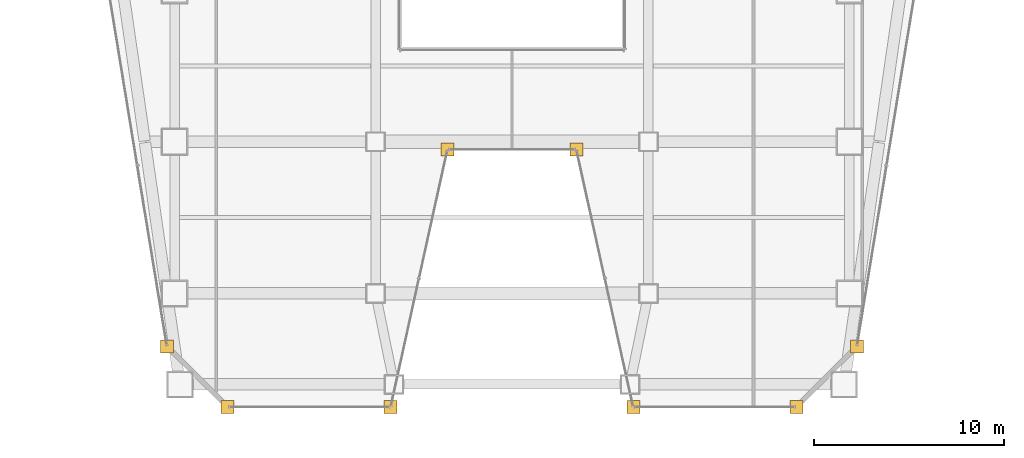
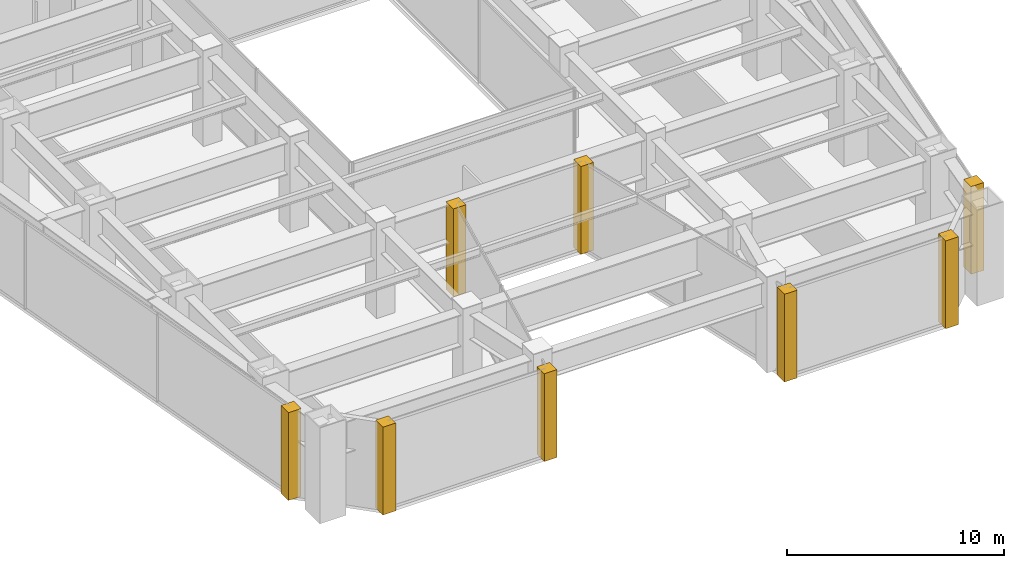
# One storey, part 40 of 42: 8 coverings.
"""IFC4 building model written with IfcOpenShell, lengths in metres."""

import ifcopenshell
import ifcopenshell.guid

model = None  # the IFC model being written
_history = None  # IfcOwnerHistory: only IFC2X3 demands one
_inside = {}  # id of a spatial element -> (the spatial element, [elements in it])
_under = {}  # id of a project, library or spatial element -> (it, [spatial elements below it])
_declared = {}  # id of a project -> (the project, [libraries it declares])
_typed = {}  # id of a type object -> (the type object, [elements of that type])
_made_of = {}  # id of a material, layer set ... -> (it, [elements and type objects made of it])


def new_model(schema):
    """Start an empty IFC model of exactly this schema.

    Asked for "IFC4X3", IfcOpenShell would pick the latest addendum, in which some entities
    have other attributes; the version numbers below select the first issue.
    IFC2X3 requires an IfcOwnerHistory on every rooted entity: one is made here for all.
    """
    global model, _history
    if schema == "IFC4X3":
        model = ifcopenshell.file(schema_version=(4, 3, 0, 0))
    else:
        model = ifcopenshell.file(schema=schema)
    _inside.clear()
    _under.clear()
    _declared.clear()
    _typed.clear()
    _made_of.clear()
    _history = None
    if model.schema == "IFC2X3":
        org = make("IfcOrganization", Name="unknown")
        user = make(
            "IfcPersonAndOrganization",
            ThePerson=make("IfcPerson", FamilyName="unknown"),
            TheOrganization=org,
        )
        app = make(
            "IfcApplication",
            ApplicationDeveloper=org,
            Version="unknown",
            ApplicationFullName="unknown",
            ApplicationIdentifier="unknown",
        )
        _history = make(
            "IfcOwnerHistory",
            OwningUser=user,
            OwningApplication=app,
            ChangeAction="ADDED",
            CreationDate=0,
        )
    return model


def make(cls, **values):
    """One entity of the class cls with the attributes given. An attribute that is None is left unset."""
    return model.create_entity(
        cls, **{name: value for name, value in values.items() if value is not None}
    )


def rooted(cls, **values):
    """An entity with a GlobalId (a new one), such as an element, a storey or a relation."""
    return make(cls, GlobalId=ifcopenshell.guid.new(), OwnerHistory=_history, **values)


def si_unit(unit_type, name, prefix=None):
    """IfcSIUnit, for example si_unit("LENGTHUNIT", "METRE", prefix="MILLI")."""
    return make("IfcSIUnit", UnitType=unit_type, Prefix=prefix, Name=name)


def assignment(units):
    """IfcUnitAssignment: the units of a project."""
    return None if units is None else make("IfcUnitAssignment", Units=units)


def point(xyz):
    """IfcCartesianPoint."""
    return None if xyz is None else make("IfcCartesianPoint", Coordinates=xyz)


def direction(xyz):
    """IfcDirection."""
    return None if xyz is None else make("IfcDirection", DirectionRatios=xyz)


def frame(location, z_axis=None, x_axis=None):
    """IfcAxis2Placement3D, a coordinate frame: its origin and axes. An axis left out is left unset."""
    return make(
        "IfcAxis2Placement3D",
        Location=point(location),
        Axis=direction(z_axis),
        RefDirection=direction(x_axis),
    )


def origin():
    """The frame at (0, 0, 0) with its axes left unset."""
    return frame((0.0, 0.0, 0.0))


def place(relative_to, where):
    """IfcLocalPlacement: puts the frame where relative to a parent placement (None: the world)."""
    return make(
        "IfcLocalPlacement", PlacementRelTo=relative_to, RelativePlacement=where
    )


def context(
    kind, dimensions, precision=None, world=None, true_north=None, identifier=None
):
    """IfcGeometricRepresentationContext, for example the 3D "Model" context."""
    return make(
        "IfcGeometricRepresentationContext",
        ContextIdentifier=identifier,
        ContextType=kind,
        CoordinateSpaceDimension=dimensions,
        Precision=precision,
        WorldCoordinateSystem=world,
        TrueNorth=true_north,
    )


def subcontext(parent, identifier, kind, view, scale=None):
    """IfcGeometricRepresentationSubContext, for example "Body" below "Model"."""
    return make(
        "IfcGeometricRepresentationSubContext",
        ContextIdentifier=identifier,
        ContextType=kind,
        ParentContext=parent,
        TargetScale=scale,
        TargetView=view,
    )


def project(units=None, contexts=None):
    """IfcProject with its units and contexts."""
    return rooted(
        "IfcProject",
        Name="project",
        RepresentationContexts=contexts,
        UnitsInContext=assignment(units),
    )


def spatial(cls, under=None, at=None, **own):
    """A site, building, storey or space (cls), placed at a placement, below another one or the project."""
    s = rooted(cls, ObjectPlacement=at, **own)
    if under is not None:
        _under.setdefault(under.id(), (under, []))[1].append(s)
    return s


def polyline(points):
    """IfcPolyline through the points."""
    return make("IfcPolyline", Points=[point(p) for p in points])


def outline(outer, holes=None, kind="AREA"):
    """IfcArbitraryClosedProfileDef: a profile drawn as a closed curve; with holes, ...WithVoids."""
    if holes is None:
        return make("IfcArbitraryClosedProfileDef", ProfileType=kind, OuterCurve=outer)
    return make(
        "IfcArbitraryProfileDefWithVoids",
        ProfileType=kind,
        OuterCurve=outer,
        InnerCurves=holes,
    )


def extrude(swept, where, along, depth):
    """IfcExtrudedAreaSolid: the profile swept, set in the frame where, extruded along a direction by depth."""
    return make(
        "IfcExtrudedAreaSolid",
        SweptArea=swept,
        Position=where,
        ExtrudedDirection=direction(along),
        Depth=depth,
    )


def shape(context_of_items, identifier, shape_type, items):
    """IfcShapeRepresentation: the items that make up one representation, for example the "Body"."""
    return make(
        "IfcShapeRepresentation",
        ContextOfItems=context_of_items,
        RepresentationIdentifier=identifier,
        RepresentationType=shape_type,
        Items=items,
    )


def material(Name=None, Category=None):
    """IfcMaterial."""
    return make("IfcMaterial", Name=Name, Category=Category)


def layer(
    of_material, thickness, ventilated=None, Name=None, Category=None, Priority=None
):
    """IfcMaterialLayer: one layer of a wall or slab, of a material (None: an air gap)."""
    return make(
        "IfcMaterialLayer",
        Material=of_material,
        LayerThickness=thickness,
        IsVentilated=ventilated,
        Name=Name,
        Category=Category,
        Priority=Priority,
    )


def layer_set(layers, Name=None):
    """IfcMaterialLayerSet."""
    return make("IfcMaterialLayerSet", MaterialLayers=layers, LayerSetName=Name)


def made_of(thing, what):
    """Note that an element or type object is made of a material, layer set ...; save() writes the relation."""
    if what is not None:
        _made_of.setdefault(what.id(), (what, []))[1].append(thing)
    return thing


def type_object(cls, material=None, **own):
    """A type object (cls), such as IfcWallType, which elements share."""
    return made_of(rooted(cls, **own), material)


def element(
    cls,
    number,
    at=None,
    inside=None,
    cuts=None,
    type_object=None,
    material=None,
    context=None,
    identifier="Body",
    shape_type=None,
    held_by="IfcProductDefinitionShape",
    body=None,
    shapes=None,
    **own,
):
    """One element of the class cls, such as IfcWall. Its Tag is "e" and its number.

    at: its placement. inside: the storey or other place that contains it. cuts: it is an
    opening in that element (IfcRelVoidsElement). A single representation is given by context,
    identifier, shape_type and body (its items); several are given by shapes. held_by: the class
    of the entity that holds the representations. save() writes the other relations.
    """
    e = rooted(cls, Tag="e%d" % number, ObjectPlacement=at, **own)
    if body is not None:
        shapes = [shape(context, identifier, shape_type, body)]
    if shapes is not None:
        e.Representation = make(held_by, Representations=shapes)
    if inside is not None:
        _inside.setdefault(inside.id(), (inside, []))[1].append(e)
    if cuts is not None:
        rooted(
            "IfcRelVoidsElement", RelatingBuildingElement=cuts, RelatedOpeningElement=e
        )
    if type_object is not None:
        _typed.setdefault(type_object.id(), (type_object, []))[1].append(e)
    return made_of(e, material)


def aggregate(whole, parts):
    """IfcRelAggregates: a whole, such as a stair, and the parts it consists of."""
    return rooted("IfcRelAggregates", RelatingObject=whole, RelatedObjects=parts)


def save(model, path):
    """Write the relations noted so far, then the file.

    IfcRelAggregates (storeys below a building ...), IfcRelContainedInSpatialStructure (elements
    in a storey), IfcRelDefinesByType, IfcRelAssociatesMaterial and IfcRelDeclares: one each for
    every whole, place, type object, material and project.
    """
    for whole, parts in _under.values():
        aggregate(whole, parts)
    for where, things in _inside.values():
        rooted(
            "IfcRelContainedInSpatialStructure",
            RelatedElements=things,
            RelatingStructure=where,
        )
    for kind, things in _typed.values():
        rooted("IfcRelDefinesByType", RelatedObjects=things, RelatingType=kind)
    for what, things in _made_of.values():
        rooted("IfcRelAssociatesMaterial", RelatedObjects=things, RelatingMaterial=what)
    for by, libraries in _declared.values():
        rooted("IfcRelDeclares", RelatingContext=by, RelatedDefinitions=libraries)
    model.write(path)


model = new_model("IFC4")

# Units and contexts
model_context = context("Model", 3, precision=1e-05, world=origin(), true_north=direction((0.0, 1.0)))
body_context = subcontext(model_context, "Body", "Model", "MODEL_VIEW")
ifc_project = project(units=[si_unit("LENGTHUNIT", "METRE"), si_unit("AREAUNIT", "SQUARE_METRE"), si_unit("VOLUMEUNIT", "CUBIC_METRE"), si_unit("PLANEANGLEUNIT", "RADIAN"), si_unit("MASSUNIT", "GRAM", prefix="KILO")], contexts=[model_context])

# Site, building, storey
site_placement = place(None, origin())
site = spatial("IfcSite", under=ifc_project, at=site_placement, CompositionType="ELEMENT")
building_placement = place(site_placement, origin())
building = spatial("IfcBuilding", under=site, at=building_placement, Name="Saevonmaru Cultural Tower", CompositionType="ELEMENT")
storey_placement = place(building_placement, frame((0.0, 0.0, 33.0)))
storey = spatial("IfcBuildingStorey", under=building, at=storey_placement, Name="L06", CompositionType="ELEMENT", Elevation=33.0)

# Coverings
ifc_material = material(Name="Satin Bronze Anodised Aluminium", Category="aluminium")
ifc_layer = layer(ifc_material, 0.679931640625, Name="Satin Bronze Anodised Aluminium")
ifc_layer_set = layer_set([ifc_layer], Name="Satin Bronze Anodised Aluminium")
covering_type = type_object("IfcCoveringType", Name="CV-CORNER-CLAD", PredefinedType="CLADDING", material=ifc_layer_set)
covering_1_placement = place(storey_placement, origin())
element("IfcCovering", 1, at=covering_1_placement, inside=storey, type_object=covering_type, Name="L06 Tower Bronze Corner Cladding Pier 1", PredefinedType="CLADDING", context=body_context, shape_type="SweptSolid", body=[
    extrude(outline(polyline([(11.4599609375, 4.860107421875), (12.139892578125, 4.860107421875), (12.139892578125, 5.5400390625), (11.4599609375, 5.5400390625), (11.4599609375, 4.860107421875)])), origin(), (0.0, 0.0, 1.0), 4.949951171875),
])
covering_2_placement = place(storey_placement, origin())
element("IfcCovering", 2, at=covering_2_placement, inside=storey, type_object=covering_type, Name="L06 Tower Bronze Corner Cladding Pier 2", PredefinedType="CLADDING", context=body_context, shape_type="SweptSolid", body=[
    extrude(outline(polyline([(14.659912109375, 1.659912109375), (15.340087890625, 1.659912109375), (15.340087890625, 2.340087890625), (14.659912109375, 2.340087890625), (14.659912109375, 1.659912109375)])), origin(), (0.0, 0.0, 1.0), 4.949951171875),
])
covering_3_placement = place(storey_placement, origin())
element("IfcCovering", 3, at=covering_3_placement, inside=storey, type_object=covering_type, Name="L06 Tower Bronze Corner Cladding Pier 3", PredefinedType="CLADDING", context=body_context, shape_type="SweptSolid", body=[
    extrude(outline(polyline([(23.260009765625, 1.659912109375), (23.93994140625, 1.659912109375), (23.93994140625, 2.340087890625), (23.260009765625, 2.340087890625), (23.260009765625, 1.659912109375)])), origin(), (0.0, 0.0, 1.0), 4.949951171875),
])
covering_4_placement = place(storey_placement, origin())
element("IfcCovering", 4, at=covering_4_placement, inside=storey, type_object=covering_type, Name="L06 Tower Bronze Corner Cladding Pier 4", PredefinedType="CLADDING", context=body_context, shape_type="SweptSolid", body=[
    extrude(outline(polyline([(26.260009765625, 15.260009765625), (26.93994140625, 15.260009765625), (26.93994140625, 15.93994140625), (26.260009765625, 15.93994140625), (26.260009765625, 15.260009765625)])), origin(), (0.0, 0.0, 1.0), 4.949951171875),
])
covering_5_placement = place(storey_placement, origin())
element("IfcCovering", 5, at=covering_5_placement, inside=storey, type_object=covering_type, Name="L06 Tower Bronze Corner Cladding Pier 5", PredefinedType="CLADDING", context=body_context, shape_type="SweptSolid", body=[
    extrude(outline(polyline([(33.06005859375, 15.260009765625), (33.739990234375, 15.260009765625), (33.739990234375, 15.93994140625), (33.06005859375, 15.93994140625), (33.06005859375, 15.260009765625)])), origin(), (0.0, 0.0, 1.0), 4.949951171875),
])
covering_6_placement = place(storey_placement, origin())
element("IfcCovering", 6, at=covering_6_placement, inside=storey, type_object=covering_type, Name="L06 Tower Bronze Corner Cladding Pier 6", PredefinedType="CLADDING", context=body_context, shape_type="SweptSolid", body=[
    extrude(outline(polyline([(36.06005859375, 1.659912109375), (36.739990234375, 1.659912109375), (36.739990234375, 2.340087890625), (36.06005859375, 2.340087890625), (36.06005859375, 1.659912109375)])), origin(), (0.0, 0.0, 1.0), 4.949951171875),
])
covering_7_placement = place(storey_placement, origin())
element("IfcCovering", 7, at=covering_7_placement, inside=storey, type_object=covering_type, Name="L06 Tower Bronze Corner Cladding Pier 7", PredefinedType="CLADDING", context=body_context, shape_type="SweptSolid", body=[
    extrude(outline(polyline([(44.659912109375, 1.659912109375), (45.340087890625, 1.659912109375), (45.340087890625, 2.340087890625), (44.659912109375, 2.340087890625), (44.659912109375, 1.659912109375)])), origin(), (0.0, 0.0, 1.0), 4.949951171875),
])
covering_8_placement = place(storey_placement, origin())
element("IfcCovering", 8, at=covering_8_placement, inside=storey, type_object=covering_type, Name="L06 Tower Bronze Corner Cladding Pier 8", PredefinedType="CLADDING", context=body_context, shape_type="SweptSolid", body=[
    extrude(outline(polyline([(47.860107421875, 4.860107421875), (48.5400390625, 4.860107421875), (48.5400390625, 5.5400390625), (47.860107421875, 5.5400390625), (47.860107421875, 4.860107421875)])), origin(), (0.0, 0.0, 1.0), 4.949951171875),
])

save(model, "model.ifc")
